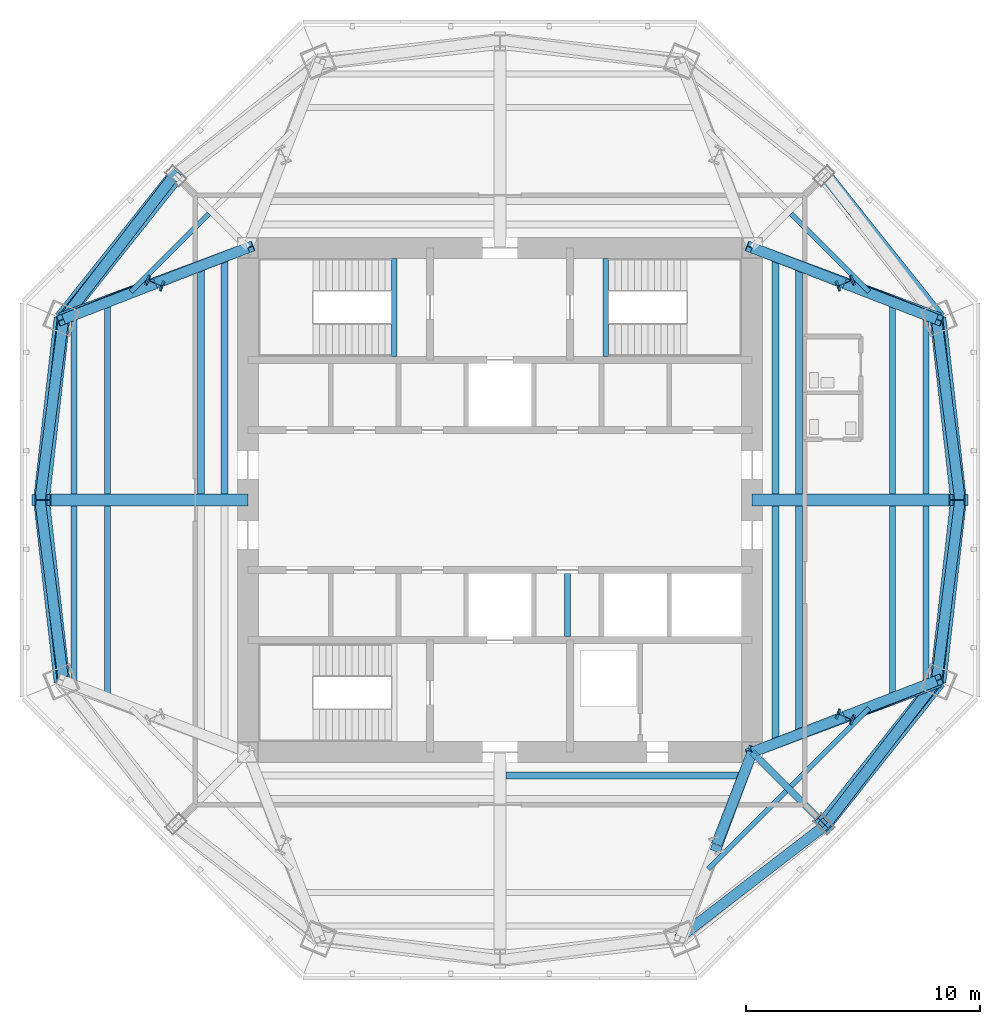
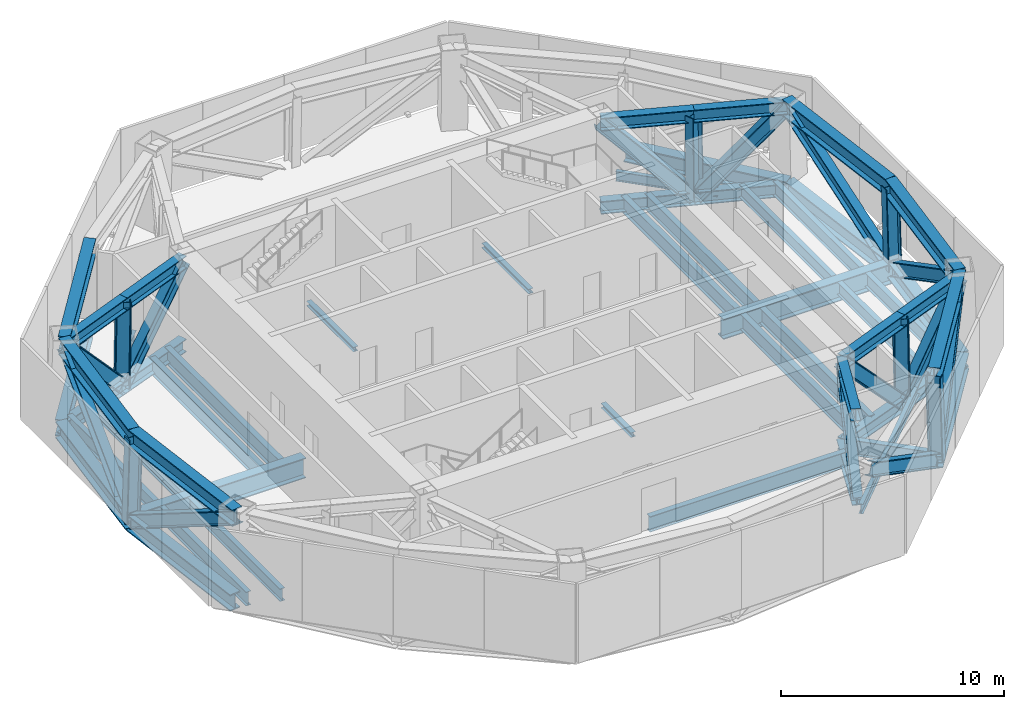
# One storey, part 2 of 9: 47 members, 25 beams.
"""IFC4 building model written with IfcOpenShell, lengths in metres."""

from ifc_helpers import new_model, si_unit, direction, frame, origin, origin_2d, place, context, subcontext, project, spatial, i_section, extrude, source, transform, mapped, material, material_profile, profile_set, type_object, type_shapes, element, save


model = new_model("IFC4")

# Units and contexts
model_context = context("Model", 3, precision=1e-05, world=origin(), true_north=direction((0.0, 1.0)))
body_context = subcontext(model_context, "Body", "Model", "MODEL_VIEW")
ifc_project = project(units=[si_unit("LENGTHUNIT", "METRE"), si_unit("AREAUNIT", "SQUARE_METRE"), si_unit("VOLUMEUNIT", "CUBIC_METRE"), si_unit("PLANEANGLEUNIT", "RADIAN"), si_unit("MASSUNIT", "GRAM", prefix="KILO")], contexts=[model_context])

# Site, building, storey
site_placement = place(None, origin())
site = spatial("IfcSite", under=ifc_project, at=site_placement, CompositionType="ELEMENT")
building_placement = place(site_placement, origin())
building = spatial("IfcBuilding", under=site, at=building_placement, Name="Mashrafa Tower", CompositionType="ELEMENT")
storey_placement = place(building_placement, frame((0.0, 0.0, 266.300048828125)))
storey = spatial("IfcBuildingStorey", under=building, at=storey_placement, Name="L64", CompositionType="ELEMENT", Elevation=266.300048828125)

# Beams
ifc_material_1 = material(Name="Steel ASTM A572 Gr 50", Category="steel")
ifc_material_profile_1 = material_profile(ifc_material_1, i_section(OverallWidth=0.5, OverallDepth=1.10009765625, WebThickness=0.02490234375, FlangeThickness=0.050048828125, at=origin_2d()), Name="H1100X500X25X50")
ifc_profile_set_1 = profile_set([ifc_material_profile_1], Name="Steel ASTM A572 Gr 50")
beam_type_1 = type_object("IfcBeamType", Name="Beam H1100X500X25X50", PredefinedType="BEAM", material=ifc_profile_set_1)
for number, where, z_axis, x_axis, name in (
    (1, (-10.800048828125, 0.0, -0.800048828125), (-1.0, 0.0, 0.0), (0.0, -1.0, 0.0), "Radial girder L64 042"),
    (2, (10.800048828125, 0.0, -0.800048828125), (1.0, 0.0, 0.0), (0.0, 1.0, 0.0), "Radial girder L64 047"),
):
    element("IfcBeam", number, at=place(storey_placement, frame(where, z_axis=z_axis, x_axis=x_axis)), inside=storey, type_object=beam_type_1, Name=name, PredefinedType="BEAM", context=body_context, shape_type="SweptSolid", body=[
        extrude(i_section(OverallWidth=0.5, OverallDepth=1.10009765625, WebThickness=0.02490234375, FlangeThickness=0.050048828125, at=origin_2d()), origin(), (0.0, 0.0, 1.0), 8.888427734375),
    ])
ifc_material_2 = material(Name="Steel ASTM A992", Category="steel")
ifc_material_profile_2 = material_profile(ifc_material_2, i_section(OverallWidth=0.209228515625, OverallDepth=0.533447265625, WebThickness=0.01025390625, FlangeThickness=0.015625, FilletRadius=0.012939453125, at=origin_2d()), Name="W21X62")
ifc_profile_set_2 = profile_set([ifc_material_profile_2], Name="Steel ASTM A992")
beam_type_2 = type_object("IfcBeamType", Name="Beam W21X62", PredefinedType="BEAM", material=ifc_profile_set_2)
for number, where, z_axis, x_axis, name in (
    (3, (-15.7998046875, 8.922119140625, -0.516845703125), (0.707080903063, 0.707132658363, 0.0), (-0.707132658363, 0.707080903063, 0.0), "Floor beam L64 005"),
    (4, (12.2578125, -12.46435546875, -0.516845703125), (-0.707132658363, -0.707080903063, 0.0), (0.707080903063, -0.707132658363, 0.0), "Floor beam L64 032"),
    (5, (12.46435546875, 12.2578125, -0.516845703125), (0.707080903063, -0.707132658363, 0.0), (0.707132658363, 0.707080903063, 0.0), "Floor beam L64 033"),
    (6, (15.7998046875, -8.922119140625, -0.516845703125), (-0.707080903063, -0.707132658363, 0.0), (0.707132658363, -0.707080903063, 0.0), "Floor beam L64 036"),
):
    element("IfcBeam", number, at=place(storey_placement, frame(where, z_axis=z_axis, x_axis=x_axis)), inside=storey, type_object=beam_type_2, Name=name, PredefinedType="BEAM", context=body_context, shape_type="SweptSolid", body=[
        extrude(i_section(OverallWidth=0.209228515625, OverallDepth=0.533447265625, WebThickness=0.01025390625, FlangeThickness=0.015625, FilletRadius=0.012939453125, at=origin_2d()), origin(), (0.0, 0.0, 1.0), 4.71728515625),
    ])
ifc_material_3 = material(Name="Steel ASTM A992", Category="steel")
ifc_material_profile_3 = material_profile(ifc_material_3, i_section(OverallWidth=0.256591796875, OverallDepth=0.693359375, WebThickness=0.014404296875, FlangeThickness=0.023681640625, FilletRadius=0.01513671875, at=origin_2d()), Name="W27X114")
ifc_profile_set_3 = profile_set([ifc_material_profile_3], Name="Steel ASTM A992")
beam_type_3 = type_object("IfcBeamType", Name="Beam W27X114", PredefinedType="BEAM", material=ifc_profile_set_3)
for number, where, z_axis, x_axis, name in (
    (7, (-16.804931640625, -8.544677734375, -0.5966796875), (0.0, 1.0, 0.0), (-1.0, 0.0, 0.0), "Floor beam L64 003"),
    (8, (-16.804931640625, 0.25, -0.5966796875), (0.0, 1.0, 0.0), (-1.0, 0.0, 0.0), "Floor beam L64 004"),
    (9, (16.804931640625, -0.25, -0.5966796875), (0.0, -1.0, 0.0), (1.0, 0.0, 0.0), "Floor beam L64 037"),
    (10, (16.804931640625, 8.544677734375, -0.5966796875), (0.0, -1.0, 0.0), (1.0, 0.0, 0.0), "Floor beam L64 038"),
):
    element("IfcBeam", number, at=place(storey_placement, frame(where, z_axis=z_axis, x_axis=x_axis)), inside=storey, type_object=beam_type_3, Name=name, PredefinedType="BEAM", context=body_context, shape_type="SweptSolid", body=[
        extrude(i_section(OverallWidth=0.256591796875, OverallDepth=0.693359375, WebThickness=0.014404296875, FlangeThickness=0.023681640625, FilletRadius=0.01513671875, at=origin_2d()), origin(), (0.0, 0.0, 1.0), 8.294677734375),
    ])
ifc_material_4 = material(Name="Steel ASTM A992", Category="steel")
ifc_material_profile_4 = material_profile(ifc_material_4, i_section(OverallWidth=0.2666015625, OverallDepth=0.75439453125, WebThickness=0.01318359375, FlangeThickness=0.01708984375, FilletRadius=0.0166015625, at=origin_2d()), Name="W30X99")
ifc_profile_set_4 = profile_set([ifc_material_profile_4], Name="Steel ASTM A992")
beam_type_4 = type_object("IfcBeamType", Name="Beam W30X99", PredefinedType="BEAM", material=ifc_profile_set_4)
for number, where, z_axis, x_axis, name in (
    (11, (-18.24658203125, -8.003173828125, -0.627197265625), (0.0, 1.0, 0.0), (-1.0, 0.0, 0.0), "Floor beam L64 001"),
    (12, (-18.24658203125, 0.25, -0.627197265625), (0.0, 1.0, 0.0), (-1.0, 0.0, 0.0), "Floor beam L64 002"),
    (13, (18.24658203125, -0.25, -0.627197265625), (0.0, -1.0, 0.0), (1.0, 0.0, 0.0), "Floor beam L64 039"),
    (14, (18.24658203125, 8.003173828125, -0.627197265625), (0.0, -1.0, 0.0), (1.0, 0.0, 0.0), "Floor beam L64 040"),
):
    element("IfcBeam", number, at=place(storey_placement, frame(where, z_axis=z_axis, x_axis=x_axis)), inside=storey, type_object=beam_type_4, Name=name, PredefinedType="BEAM", context=body_context, shape_type="SweptSolid", body=[
        extrude(i_section(OverallWidth=0.2666015625, OverallDepth=0.75439453125, WebThickness=0.01318359375, FlangeThickness=0.01708984375, FilletRadius=0.0166015625, at=origin_2d()), origin(), (0.0, 0.0, 1.0), 7.753173828125),
    ])
ifc_material_5 = material(Name="Steel ASTM A992", Category="steel")
ifc_material_profile_5 = material_profile(ifc_material_5, i_section(OverallWidth=0.2919921875, OverallDepth=0.8408203125, WebThickness=0.0146484375, FlangeThickness=0.021728515625, FilletRadius=0.017333984375, at=origin_2d()), Name="W33X130")
ifc_profile_set_5 = profile_set([ifc_material_profile_5], Name="Steel ASTM A992")
beam_type_5 = type_object("IfcBeamType", Name="Beam W33X130", PredefinedType="BEAM", material=ifc_profile_set_5)
beam_1_placement = place(storey_placement, frame((10.800048828125, -10.800048828125, -0.67041015625), z_axis=(0.707106781187, -0.707106781187, 0.0), x_axis=(0.707106781187, 0.707106781187, 0.0)))
element("IfcBeam", 15, at=beam_1_placement, inside=storey, type_object=beam_type_5, Name="Radial girder L64 046", PredefinedType="BEAM", context=body_context, shape_type="SweptSolid", body=[
    extrude(i_section(OverallWidth=0.2919921875, OverallDepth=0.8408203125, WebThickness=0.0146484375, FlangeThickness=0.021728515625, FilletRadius=0.017333984375, at=origin_2d()), origin(), (0.0, 0.0, 1.0), 4.4150390625),
])
ifc_material_6 = material(Name="Steel ASTM A992", Category="steel")
ifc_material_profile_6 = material_profile(ifc_material_6, i_section(OverallWidth=0.2919921875, OverallDepth=0.845703125, WebThickness=0.015380859375, FlangeThickness=0.0244140625, FilletRadius=0.017333984375, at=origin_2d()), Name="W33X141")
ifc_profile_set_6 = profile_set([ifc_material_profile_6], Name="Steel ASTM A992")
beam_type_6 = type_object("IfcBeamType", Name="Beam W33X141", PredefinedType="BEAM", material=ifc_profile_set_6)
beam_2_placement = place(storey_placement, frame((-12.804931640625, 0.25, -0.6728515625), z_axis=(0.0, 1.0, 0.0), x_axis=(-1.0, 0.0, 0.0)))
element("IfcBeam", 16, at=beam_2_placement, inside=storey, type_object=beam_type_6, Name="Floor beam L64 007", PredefinedType="BEAM", context=body_context, shape_type="SweptSolid", body=[
    extrude(i_section(OverallWidth=0.2919921875, OverallDepth=0.845703125, WebThickness=0.015380859375, FlangeThickness=0.0244140625, FilletRadius=0.017333984375, at=origin_2d()), origin(), (0.0, 0.0, 1.0), 9.797119140625),
])
for number, where, z_axis, x_axis, name in (
    (17, (-11.802490234375, 0.25, -0.6728515625), (0.0, 1.0, 0.0), (-1.0, 0.0, 0.0), "Floor beam L64 011"),
    (18, (10.423583984375, -11.802490234375, -0.6728515625), (-1.0, 0.0, 0.0), (0.0, -1.0, 0.0), "Floor beam L64 029"),
    (19, (11.802490234375, -0.25, -0.6728515625), (0.0, -1.0, 0.0), (1.0, 0.0, 0.0), "Floor beam L64 030"),
    (20, (11.802490234375, 10.423583984375, -0.6728515625), (0.0, -1.0, 0.0), (1.0, 0.0, 0.0), "Floor beam L64 031"),
):
    element("IfcBeam", number, at=place(storey_placement, frame(where, z_axis=z_axis, x_axis=x_axis)), inside=storey, type_object=beam_type_6, Name=name, PredefinedType="BEAM", context=body_context, shape_type="SweptSolid", body=[
        extrude(i_section(OverallWidth=0.2919921875, OverallDepth=0.845703125, WebThickness=0.015380859375, FlangeThickness=0.0244140625, FilletRadius=0.017333984375, at=origin_2d()), origin(), (0.0, 0.0, 1.0), 10.173583984375),
    ])
for number, where, z_axis, x_axis, name in (
    (21, (12.804931640625, -0.25, -0.6728515625), (0.0, -1.0, 0.0), (1.0, 0.0, 0.0), "Floor beam L64 034"),
    (22, (12.804931640625, 10.047119140625, -0.6728515625), (0.0, -1.0, 0.0), (1.0, 0.0, 0.0), "Floor beam L64 035"),
):
    element("IfcBeam", number, at=place(storey_placement, frame(where, z_axis=z_axis, x_axis=x_axis)), inside=storey, type_object=beam_type_6, Name=name, PredefinedType="BEAM", context=body_context, shape_type="SweptSolid", body=[
        extrude(i_section(OverallWidth=0.2919921875, OverallDepth=0.845703125, WebThickness=0.015380859375, FlangeThickness=0.0244140625, FilletRadius=0.017333984375, at=origin_2d()), origin(), (0.0, 0.0, 1.0), 9.797119140625),
    ])
ifc_material_7 = material(Name="Steel ASTM A992", Category="steel")
ifc_material_profile_7 = material_profile(ifc_material_7, i_section(OverallWidth=0.25390625, OverallDepth=0.25390625, WebThickness=0.008544921875, FlangeThickness=0.01416015625, FilletRadius=0.010009765625, at=origin_2d()), Name="W10X49")
ifc_profile_set_7 = profile_set([ifc_material_profile_7], Name="Steel ASTM A992")
beam_type_7 = type_object("IfcBeamType", Name="Hoistway beam W10X49", PredefinedType="BEAM", material=ifc_profile_set_7)
beam_3_placement = place(storey_placement, frame((2.89990234375, -5.85009765625, -0.376953125), z_axis=(0.0, 1.0, 0.0), x_axis=(-1.0, 0.0, 0.0)))
element("IfcBeam", 23, at=beam_3_placement, inside=storey, type_object=beam_type_7, Name="Hoistway beam L64 08", PredefinedType="BEAM", context=body_context, shape_type="SweptSolid", body=[
    extrude(i_section(OverallWidth=0.25390625, OverallDepth=0.25390625, WebThickness=0.008544921875, FlangeThickness=0.01416015625, FilletRadius=0.010009765625, at=origin_2d()), origin(), (0.0, 0.0, 1.0), 2.7001953125),
])
for number, where, z_axis, x_axis, name in (
    (24, (-4.530029296875, 6.14990234375, -0.376953125), (0.0, 1.0, 0.0), (-1.0, 0.0, 0.0), "Stair S1 landing beam L64"),
    (25, (4.530029296875, 6.14990234375, -0.376953125), (0.0, 1.0, 0.0), (-1.0, 0.0, 0.0), "Stair S2 landing beam L64"),
):
    element("IfcBeam", number, at=place(storey_placement, frame(where, z_axis=z_axis, x_axis=x_axis)), inside=storey, type_object=beam_type_7, Name=name, PredefinedType="BEAM", context=body_context, shape_type="SweptSolid", body=[
        extrude(i_section(OverallWidth=0.25390625, OverallDepth=0.25390625, WebThickness=0.008544921875, FlangeThickness=0.01416015625, FilletRadius=0.010009765625, at=origin_2d()), origin(), (0.0, 0.0, 1.0), 4.2001953125),
    ])

# Members
ifc_material_8 = material(Name="Steel ASTM A572 Gr 50", Category="steel")
ifc_material_profile_8 = material_profile(ifc_material_8, i_section(OverallWidth=0.550048828125, OverallDepth=0.89990234375, WebThickness=0.034912109375, FlangeThickness=0.06005859375, at=origin_2d()), Name="H900X550X35X60")
ifc_profile_set_8 = profile_set([ifc_material_profile_8], Name="Steel ASTM A572 Gr 50")
member_type_1 = type_object("IfcMemberType", Name="Belt truss chord H900X550X35X60", PredefinedType="CHORD", material=ifc_profile_set_8)
shared_shape_1 = source(origin(), body_context, "Body", "SweptSolid", [
    extrude(i_section(OverallWidth=0.550048828125, OverallDepth=0.89990234375, WebThickness=0.034912109375, FlangeThickness=0.06005859375, at=origin_2d()), origin(), (0.0, 0.0, 1.0), 7.84619140625),
])
for number, where, z_axis, x_axis, name in (
    (26, (18.822998046875, -7.796875, -0.699951171875), (0.111923825495, 0.993716789275, 0.0), (-0.993716789275, 0.111923825495, 0.0), "Belt truss bottom chord east face L64 right"),
    (27, (18.822998046875, 7.796875, -0.699951171875), (0.111923825495, -0.993716789275, 0.0), (0.993716789275, 0.111923825495, 0.0), "Belt truss bottom chord east face L64 left"),
    (28, (-18.822998046875, 7.796875, -0.699951171875), (-0.111923825495, -0.993716789275, 0.0), (0.993716789275, -0.111923825495, 0.0), "Belt truss bottom chord west face L64 right"),
    (29, (-18.822998046875, -7.796875, -0.699951171875), (-0.111923825495, 0.993716789275, 0.0), (-0.993716789275, -0.111923825495, 0.0), "Belt truss bottom chord west face L64 left"),
):
    element("IfcMember", number, at=place(storey_placement, frame(where, z_axis=z_axis, x_axis=x_axis)), inside=storey, type_object=member_type_1, Name=name, PredefinedType="CHORD", context=body_context, shape_type="MappedRepresentation", body=[
        mapped(shared_shape_1, transform((0.0, 0.0, 0.0))),
    ])
shared_shape_2 = source(origin(), body_context, "Body", "SweptSolid", [
    extrude(i_section(OverallWidth=0.550048828125, OverallDepth=0.89990234375, WebThickness=0.034912109375, FlangeThickness=0.06005859375, at=origin_2d()), origin(), (0.0, 0.0, 1.0), 7.79296875),
])
for number, where, z_axis, x_axis, name in (
    (30, (18.6943359375, -7.743408203125, 3.849853515625), (0.11268685853, 0.993630551017, 0.0), (-0.993630551017, 0.11268685853, 0.0), "Belt truss top chord east face L64 right"),
    (31, (18.6943359375, 7.743408203125, 3.849853515625), (0.11268685853, -0.993630551017, 0.0), (0.993630551017, 0.11268685853, 0.0), "Belt truss top chord east face L64 left"),
    (32, (-18.6943359375, 7.743408203125, 3.849853515625), (-0.11268685853, -0.993630551017, 0.0), (0.993630551017, -0.11268685853, 0.0), "Belt truss top chord west face L64 right"),
    (33, (-18.6943359375, -7.743408203125, 3.849853515625), (-0.11268685853, 0.993630551017, 0.0), (-0.993630551017, -0.11268685853, 0.0), "Belt truss top chord west face L64 left"),
):
    element("IfcMember", number, at=place(storey_placement, frame(where, z_axis=z_axis, x_axis=x_axis)), inside=storey, type_object=member_type_1, Name=name, PredefinedType="CHORD", context=body_context, shape_type="MappedRepresentation", body=[
        mapped(shared_shape_2, transform((0.0, 0.0, 0.0))),
    ])
ifc_material_9 = material(Name="Steel ASTM A572 Gr 50", Category="steel")
ifc_material_profile_9 = material_profile(ifc_material_9, i_section(OverallWidth=0.449951171875, OverallDepth=0.699951171875, WebThickness=0.028076171875, FlangeThickness=0.044921875, at=origin_2d()), Name="H700X450X28X45")
ifc_profile_set_9 = profile_set([ifc_material_profile_9], Name="Steel ASTM A572 Gr 50")
member_type_2 = type_object("IfcMemberType", Name="Belt truss post H700X450X28X45", PredefinedType="POST", material=ifc_profile_set_9)
shared_shape_3 = source(origin(), body_context, "Body", "SweptSolid", [
    extrude(i_section(OverallWidth=0.449951171875, OverallDepth=0.699951171875, WebThickness=0.028076171875, FlangeThickness=0.044921875, at=origin_2d()), origin(), (0.0, 0.0, 1.0), 4.551513671875),
])
type_shapes(member_type_2, [shared_shape_3])
for number, where, z_axis, x_axis, name in (
    (34, (19.701171875, 0.0, -0.699951171875), (-0.02826730043, 0.0, 0.999600400023), (0.0, -1.0, 0.0), "Belt truss post east face L64"),
    (35, (-19.701171875, 0.0, -0.699951171875), (0.02826730043, 0.0, 0.999600400023), (0.0, 1.0, 0.0), "Belt truss post west face L64"),
    (36, (13.930908203125, -13.930908203125, -0.699951171875), (-0.020007011455, 0.020007011455, 0.999599639348), (-0.707106781187, -0.707106781187, 0.0), "Belt truss post south-east face L64"),
):
    element("IfcMember", number, at=place(storey_placement, frame(where, z_axis=z_axis, x_axis=x_axis)), inside=storey, type_object=member_type_2, Name=name, PredefinedType="POST", context=body_context, shape_type="MappedRepresentation", body=[
        mapped(shared_shape_3, transform((0.0, 0.0, 0.0))),
    ])
ifc_material_10 = material(Name="Steel ASTM A572 Gr 50", Category="steel")
ifc_material_profile_10 = material_profile(ifc_material_10, i_section(OverallWidth=0.449951171875, OverallDepth=0.699951171875, WebThickness=0.028076171875, FlangeThickness=0.044921875, at=origin_2d()), Name="H700X450X28X45")
ifc_profile_set_10 = profile_set([ifc_material_profile_10], Name="Steel ASTM A572 Gr 50")
member_type_3 = type_object("IfcMemberType", Name="Belt truss diagonal H700X450X28X45", PredefinedType="BRACE", material=ifc_profile_set_10)
shared_shape_4 = source(origin(), body_context, "Body", "SweptSolid", [
    extrude(i_section(OverallWidth=0.449951171875, OverallDepth=0.699951171875, WebThickness=0.028076171875, FlangeThickness=0.044921875, at=origin_2d()), origin(), (0.0, 0.0, 1.0), 9.037353515625),
])
for number, where, z_axis, x_axis, name in (
    (37, (19.701171875, 0.0, -0.699951171875), (-0.111407553475, -0.856817015897, 0.503441117012), (0.991652459428, -0.128939519585, 0.0), "Belt truss diagonal east face L64 right"),
    (38, (19.701171875, 0.0, -0.699951171875), (-0.111407553475, 0.856817015897, 0.503441117012), (-0.991652459428, -0.128939519585, 0.0), "Belt truss diagonal east face L64 left"),
    (39, (-19.701171875, 0.0, -0.699951171875), (0.111407553475, 0.856817015897, 0.503441117012), (-0.991652459428, 0.128939519585, 0.0), "Belt truss diagonal west face L64 right"),
    (40, (-19.701171875, 0.0, -0.699951171875), (0.111407553475, -0.856817015897, 0.503441117012), (0.991652459428, 0.128939519585, 0.0), "Belt truss diagonal west face L64 left"),
):
    element("IfcMember", number, at=place(storey_placement, frame(where, z_axis=z_axis, x_axis=x_axis)), inside=storey, type_object=member_type_3, Name=name, PredefinedType="BRACE", context=body_context, shape_type="MappedRepresentation", body=[
        mapped(shared_shape_4, transform((0.0, 0.0, 0.0))),
    ])
shared_shape_5 = source(origin(), body_context, "Body", "SweptSolid", [
    extrude(i_section(OverallWidth=0.550048828125, OverallDepth=0.89990234375, WebThickness=0.034912109375, FlangeThickness=0.06005859375, at=origin_2d()), origin(), (0.0, 0.0, 1.0), 7.845947265625),
])
for number, where, z_axis, x_axis, name in (
    (41, (18.822998046875, 7.796875, -0.699951171875), (-0.623517972733, 0.781809016115, 0.0), (-0.781809016115, -0.623517972733, 0.0), "Belt truss bottom chord north-east face L64 right"),
    (42, (-18.822998046875, 7.796875, -0.699951171875), (0.623517972733, 0.781809016115, 0.0), (-0.781809016115, 0.623517972733, 0.0), "Belt truss bottom chord north-west face L64 left"),
    (43, (18.822998046875, -7.796875, -0.699951171875), (-0.623517972733, -0.781809016115, 0.0), (0.781809016115, -0.623517972733, 0.0), "Belt truss bottom chord south-east face L64 left"),
):
    element("IfcMember", number, at=place(storey_placement, frame(where, z_axis=z_axis, x_axis=x_axis)), inside=storey, type_object=member_type_1, Name=name, PredefinedType="CHORD", context=body_context, shape_type="MappedRepresentation", body=[
        mapped(shared_shape_5, transform((0.0, 0.0, 0.0))),
    ])
shared_shape_6 = source(origin(), body_context, "Body", "SweptSolid", [
    extrude(i_section(OverallWidth=0.550048828125, OverallDepth=0.89990234375, WebThickness=0.034912109375, FlangeThickness=0.06005859375, at=origin_2d()), origin(), (0.0, 0.0, 1.0), 7.793212890625),
])
type_shapes(member_type_1, [shared_shape_1, shared_shape_2, shared_shape_5, shared_shape_6])
for number, where, z_axis, x_axis, name in (
    (44, (-18.6943359375, 7.743408203125, 3.849853515625), (0.622920746313, 0.782284950522, 0.0), (-0.782284950522, 0.622920746313, 0.0), "Belt truss top chord north-west face L64 left"),
    (45, (18.6943359375, -7.743408203125, 3.849853515625), (-0.622920746313, -0.782284950522, 0.0), (0.782284950522, -0.622920746313, 0.0), "Belt truss top chord south-east face L64 left"),
):
    element("IfcMember", number, at=place(storey_placement, frame(where, z_axis=z_axis, x_axis=x_axis)), inside=storey, type_object=member_type_1, Name=name, PredefinedType="CHORD", context=body_context, shape_type="MappedRepresentation", body=[
        mapped(shared_shape_6, transform((0.0, 0.0, 0.0))),
    ])
shared_shape_7 = source(origin(), body_context, "Body", "SweptSolid", [
    extrude(i_section(OverallWidth=0.449951171875, OverallDepth=0.699951171875, WebThickness=0.028076171875, FlangeThickness=0.044921875, at=origin_2d()), origin(), (0.0, 0.0, 1.0), 9.03759765625),
])
type_shapes(member_type_3, [shared_shape_4, shared_shape_7])
for number, where, z_axis, x_axis, name in (
    (46, (-13.930908203125, 13.930908203125, -0.699951171875), (-0.527074523053, -0.684648491223, 0.503437077116), (0.792387987092, -0.610017440662, 0.0), "Belt truss diagonal north-west face L64 left"),
    (47, (13.930908203125, -13.930908203125, -0.699951171875), (-0.684648491223, -0.527074523053, 0.503437077116), (0.610017440662, -0.792387987092, 0.0), "Belt truss diagonal south-east face L64 right"),
    (48, (13.930908203125, -13.930908203125, -0.699951171875), (0.527074523053, 0.684648491223, 0.503437077116), (-0.792387987092, 0.610017440662, 0.0), "Belt truss diagonal south-east face L64 left"),
):
    element("IfcMember", number, at=place(storey_placement, frame(where, z_axis=z_axis, x_axis=x_axis)), inside=storey, type_object=member_type_3, Name=name, PredefinedType="BRACE", context=body_context, shape_type="MappedRepresentation", body=[
        mapped(shared_shape_7, transform((0.0, 0.0, 0.0))),
    ])
ifc_material_11 = material(Name="Steel ASTM A572 Gr 50", Category="steel")
ifc_material_profile_11 = material_profile(ifc_material_11, i_section(OverallWidth=0.449951171875, OverallDepth=0.699951171875, WebThickness=0.028076171875, FlangeThickness=0.044921875, at=origin_2d()), Name="H700X450X28X45")
ifc_profile_set_11 = profile_set([ifc_material_profile_11], Name="Steel ASTM A572 Gr 50")
member_type_4 = type_object("IfcMemberType", Name="Outrigger chord H700X450X28X45", PredefinedType="CHORD", material=ifc_profile_set_11)
shared_shape_8 = source(origin(), body_context, "Body", "SweptSolid", [
    extrude(i_section(OverallWidth=0.449951171875, OverallDepth=0.699951171875, WebThickness=0.028076171875, FlangeThickness=0.044921875, at=origin_2d()), origin(), (0.0, 0.0, 1.0), 4.283447265625),
])
for number, where, z_axis, x_axis, name in (
    (49, (10.800048828125, 10.800048828125, -0.699951171875), (0.936528128363, -0.350592448272, 0.0), (0.350592448272, 0.936528128363, 0.0), "Outrigger bottom chord MC1 L64 core end"),
    (50, (-10.800048828125, 10.800048828125, -0.699951171875), (-0.936528128363, -0.350592448272, 0.0), (0.350592448272, -0.936528128363, 0.0), "Outrigger bottom chord MC4 L64 core end"),
    (51, (10.800048828125, -10.800048828125, -0.699951171875), (-0.350592448272, -0.936528128363, 0.0), (0.936528128363, -0.350592448272, 0.0), "Outrigger bottom chord MC7 L64 core end"),
    (52, (10.800048828125, -10.800048828125, -0.699951171875), (0.936528128363, 0.350592448272, 0.0), (-0.350592448272, 0.936528128363, 0.0), "Outrigger bottom chord MC8 L64 core end"),
):
    element("IfcMember", number, at=place(storey_placement, frame(where, z_axis=z_axis, x_axis=x_axis)), inside=storey, type_object=member_type_4, Name=name, PredefinedType="CHORD", context=body_context, shape_type="MappedRepresentation", body=[
        mapped(shared_shape_8, transform((0.0, 0.0, 0.0))),
    ])
shared_shape_9 = source(origin(), body_context, "Body", "SweptSolid", [
    extrude(i_section(OverallWidth=0.449951171875, OverallDepth=0.699951171875, WebThickness=0.028076171875, FlangeThickness=0.044921875, at=origin_2d()), origin(), (0.0, 0.0, 1.0), 4.283203125),
])
for number, where, z_axis, x_axis, name in (
    (53, (14.8115234375, 9.29833984375, -0.699951171875), (0.936546841988, -0.350542455007, 0.0), (0.350542455007, 0.936546841988, 0.0), "Outrigger bottom chord MC1 L64 column end"),
    (54, (-14.8115234375, 9.29833984375, -0.699951171875), (-0.936546841988, -0.350542455007, 0.0), (0.350542455007, -0.936546841988, 0.0), "Outrigger bottom chord MC4 L64 column end"),
    (55, (14.8115234375, -9.29833984375, -0.699951171875), (0.936546841988, 0.350542455007, 0.0), (-0.350542455007, 0.936546841988, 0.0), "Outrigger bottom chord MC8 L64 column end"),
):
    element("IfcMember", number, at=place(storey_placement, frame(where, z_axis=z_axis, x_axis=x_axis)), inside=storey, type_object=member_type_4, Name=name, PredefinedType="CHORD", context=body_context, shape_type="MappedRepresentation", body=[
        mapped(shared_shape_9, transform((0.0, 0.0, 0.0))),
    ])
shared_shape_10 = source(origin(), body_context, "Body", "SweptSolid", [
    extrude(i_section(OverallWidth=0.449951171875, OverallDepth=0.699951171875, WebThickness=0.028076171875, FlangeThickness=0.044921875, at=origin_2d()), origin(), (0.0, 0.0, 1.0), 4.232666015625),
])
for number, where, z_axis, x_axis, name in (
    (56, (10.800048828125, 10.800048828125, 3.849853515625), (0.93253301531, -0.36108472047, 0.0), (0.36108472047, 0.93253301531, 0.0), "Outrigger top chord MC1 L64 core end"),
    (57, (-10.800048828125, 10.800048828125, 3.849853515625), (-0.93253301531, -0.36108472047, 0.0), (0.36108472047, -0.93253301531, 0.0), "Outrigger top chord MC4 L64 core end"),
    (58, (10.800048828125, -10.800048828125, 3.849853515625), (-0.36108472047, -0.93253301531, 0.0), (0.93253301531, -0.36108472047, 0.0), "Outrigger top chord MC7 L64 core end"),
    (59, (10.800048828125, -10.800048828125, 3.849853515625), (0.93253301531, 0.36108472047, 0.0), (-0.36108472047, 0.93253301531, 0.0), "Outrigger top chord MC8 L64 core end"),
):
    element("IfcMember", number, at=place(storey_placement, frame(where, z_axis=z_axis, x_axis=x_axis)), inside=storey, type_object=member_type_4, Name=name, PredefinedType="CHORD", context=body_context, shape_type="MappedRepresentation", body=[
        mapped(shared_shape_10, transform((0.0, 0.0, 0.0))),
    ])
shared_shape_11 = source(origin(), body_context, "Body", "SweptSolid", [
    extrude(i_section(OverallWidth=0.449951171875, OverallDepth=0.699951171875, WebThickness=0.028076171875, FlangeThickness=0.044921875, at=origin_2d()), origin(), (0.0, 0.0, 1.0), 4.23291015625),
])
type_shapes(member_type_4, [shared_shape_8, shared_shape_9, shared_shape_10, shared_shape_11])
for number, where, z_axis, x_axis, name in (
    (60, (14.7470703125, 9.271728515625, 3.849853515625), (0.932540535312, -0.361065298803, 0.0), (0.361065298803, 0.932540535312, 0.0), "Outrigger top chord MC1 L64 column end"),
    (61, (-14.7470703125, 9.271728515625, 3.849853515625), (-0.932540535312, -0.361065298803, 0.0), (0.361065298803, -0.932540535312, 0.0), "Outrigger top chord MC4 L64 column end"),
    (62, (14.7470703125, -9.271728515625, 3.849853515625), (0.932540535312, 0.361065298803, 0.0), (-0.361065298803, 0.932540535312, 0.0), "Outrigger top chord MC8 L64 column end"),
):
    element("IfcMember", number, at=place(storey_placement, frame(where, z_axis=z_axis, x_axis=x_axis)), inside=storey, type_object=member_type_4, Name=name, PredefinedType="CHORD", context=body_context, shape_type="MappedRepresentation", body=[
        mapped(shared_shape_11, transform((0.0, 0.0, 0.0))),
    ])
ifc_material_12 = material(Name="Steel ASTM A572 Gr 50", Category="steel")
ifc_material_profile_12 = material_profile(ifc_material_12, i_section(OverallWidth=0.449951171875, OverallDepth=0.699951171875, WebThickness=0.028076171875, FlangeThickness=0.044921875, at=origin_2d()), Name="H700X450X28X45")
ifc_profile_set_12 = profile_set([ifc_material_profile_12], Name="Steel ASTM A572 Gr 50")
member_type_5 = type_object("IfcMemberType", Name="Outrigger post H700X450X28X45", PredefinedType="POST", material=ifc_profile_set_12)
shared_shape_12 = source(origin(), body_context, "Body", "SweptSolid", [
    extrude(i_section(OverallWidth=0.449951171875, OverallDepth=0.699951171875, WebThickness=0.028076171875, FlangeThickness=0.044921875, at=origin_2d()), origin(), (0.0, 0.0, 1.0), 4.55029296875),
])
type_shapes(member_type_5, [shared_shape_12])
for number, where, z_axis, x_axis, name in (
    (63, (14.8115234375, 9.29833984375, -0.699951171875), (-0.014164466631, -0.005848207814, 0.999882576281), (0.381630110343, -0.924315129639, 0.0), "Outrigger post MC1 L64"),
    (64, (-14.8115234375, 9.29833984375, -0.699951171875), (0.014164466631, -0.005848207814, 0.999882576281), (0.381630110343, 0.924315129639, 0.0), "Outrigger post MC4 L64"),
    (65, (14.8115234375, -9.29833984375, -0.699951171875), (-0.014164466631, 0.005848207814, 0.999882576281), (-0.381630110343, -0.924315129639, 0.0), "Outrigger post MC8 L64"),
):
    element("IfcMember", number, at=place(storey_placement, frame(where, z_axis=z_axis, x_axis=x_axis)), inside=storey, type_object=member_type_5, Name=name, PredefinedType="POST", context=body_context, shape_type="MappedRepresentation", body=[
        mapped(shared_shape_12, transform((0.0, 0.0, 0.0))),
    ])
ifc_material_13 = material(Name="Steel ASTM A572 Gr 50", Category="steel")
ifc_material_profile_13 = material_profile(ifc_material_13, i_section(OverallWidth=0.449951171875, OverallDepth=0.699951171875, WebThickness=0.028076171875, FlangeThickness=0.044921875, at=origin_2d()), Name="H700X450X28X45")
ifc_profile_set_13 = profile_set([ifc_material_profile_13], Name="Steel ASTM A572 Gr 50")
member_type_6 = type_object("IfcMemberType", Name="Outrigger diagonal H700X450X28X45", PredefinedType="BRACE", material=ifc_profile_set_13)
shared_shape_13 = source(origin(), body_context, "Body", "SweptSolid", [
    extrude(i_section(OverallWidth=0.449951171875, OverallDepth=0.699951171875, WebThickness=0.028076171875, FlangeThickness=0.044921875, at=origin_2d()), origin(), (0.0, 0.0, 1.0), 6.248779296875),
])
for number, where, z_axis, x_axis, name in (
    (66, (14.8115234375, 9.29833984375, -0.699951171875), (-0.641956894726, 0.240318718244, 0.72810593939), (-0.350592448272, -0.936528128363, 0.0), "Outrigger diagonal MC1 L64 core end"),
    (67, (-14.8115234375, 9.29833984375, -0.699951171875), (0.641956894726, 0.240318718244, 0.72810593939), (-0.350592448272, 0.936528128363, 0.0), "Outrigger diagonal MC4 L64 core end"),
    (68, (9.29833984375, -14.8115234375, -0.699951171875), (0.240318718244, 0.641956894726, 0.72810593939), (-0.936528128363, 0.350592448272, 0.0), "Outrigger diagonal MC7 L64 core end"),
    (69, (14.8115234375, -9.29833984375, -0.699951171875), (-0.641956894726, -0.240318718244, 0.72810593939), (0.350592448272, -0.936528128363, 0.0), "Outrigger diagonal MC8 L64 core end"),
):
    element("IfcMember", number, at=place(storey_placement, frame(where, z_axis=z_axis, x_axis=x_axis)), inside=storey, type_object=member_type_6, Name=name, PredefinedType="BRACE", context=body_context, shape_type="MappedRepresentation", body=[
        mapped(shared_shape_13, transform((0.0, 0.0, 0.0))),
    ])
shared_shape_14 = source(origin(), body_context, "Body", "SweptSolid", [
    extrude(i_section(OverallWidth=0.449951171875, OverallDepth=0.699951171875, WebThickness=0.028076171875, FlangeThickness=0.044921875, at=origin_2d()), origin(), (0.0, 0.0, 1.0), 6.18017578125),
])
type_shapes(member_type_6, [shared_shape_13, shared_shape_14])
for number, where, z_axis, x_axis, name in (
    (70, (14.8115234375, 9.29833984375, -0.699951171875), (0.628267335631, -0.251599261861, 0.736191528347), (0.37176301132, 0.928327670284, 0.0), "Outrigger diagonal MC1 L64 column end"),
    (71, (-14.8115234375, 9.29833984375, -0.699951171875), (-0.628267335631, -0.251599261861, 0.736191528347), (0.37176301132, -0.928327670284, 0.0), "Outrigger diagonal MC4 L64 column end"),
    (72, (14.8115234375, -9.29833984375, -0.699951171875), (0.628267335631, 0.251599261861, 0.736191528347), (-0.37176301132, 0.928327670284, 0.0), "Outrigger diagonal MC8 L64 column end"),
):
    element("IfcMember", number, at=place(storey_placement, frame(where, z_axis=z_axis, x_axis=x_axis)), inside=storey, type_object=member_type_6, Name=name, PredefinedType="BRACE", context=body_context, shape_type="MappedRepresentation", body=[
        mapped(shared_shape_14, transform((0.0, 0.0, 0.0))),
    ])

save(model, "model.ifc")
